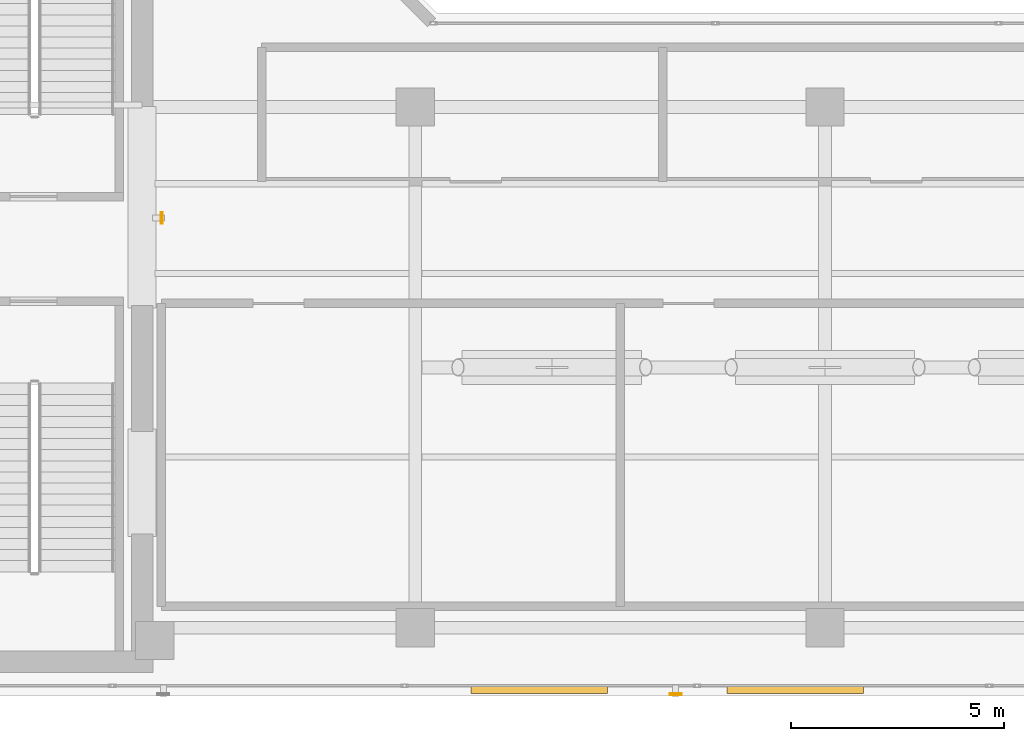
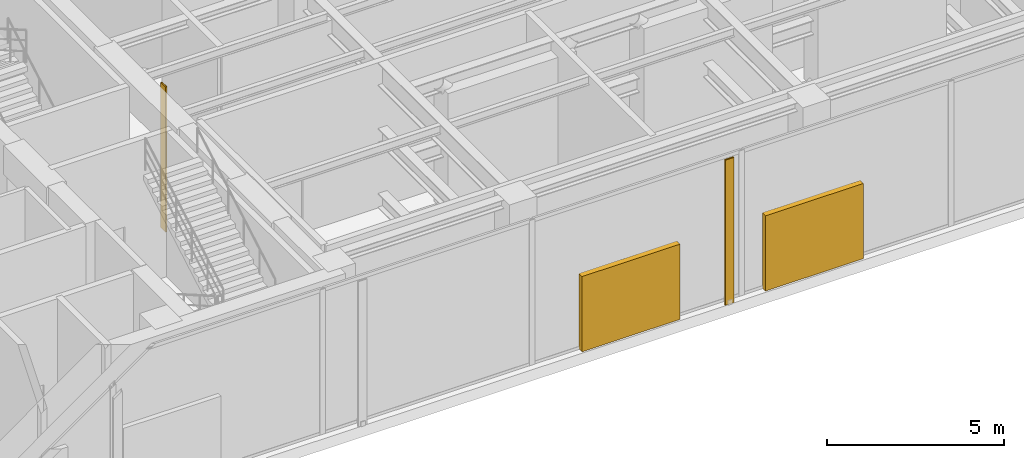
# One storey, part 28 of 29: 4 shading devices.
"""IFC4 building model written with IfcOpenShell, lengths in metres."""

from ifc_helpers import new_model, si_unit, direction, frame, origin, origin_with_axes, origin_2d, place, context, subcontext, project, spatial, rectangle, hollow_rectangle, extrude, source, transform, mapped, material, material_profile, profile_set, type_object, element, save


model = new_model("IFC4")

# Units and contexts
model_context = context("Model", 3, precision=1e-05, world=origin(), true_north=direction((0.0, 1.0)))
body_context = subcontext(model_context, "Body", "Model", "MODEL_VIEW")
ifc_project = project(units=[si_unit("LENGTHUNIT", "METRE"), si_unit("AREAUNIT", "SQUARE_METRE"), si_unit("VOLUMEUNIT", "CUBIC_METRE"), si_unit("PLANEANGLEUNIT", "RADIAN"), si_unit("MASSUNIT", "GRAM", prefix="KILO")], contexts=[model_context])

# Site, building, storey
site_placement = place(None, origin())
site = spatial("IfcSite", under=ifc_project, at=site_placement, CompositionType="ELEMENT")
building_placement = place(site_placement, origin())
building = spatial("IfcBuilding", under=site, at=building_placement, Name="Kolvaren Waterfront Exchange", CompositionType="ELEMENT")
storey_placement = place(building_placement, frame((0.0, 0.0, 338.800048828125)))
storey = spatial("IfcBuildingStorey", under=building, at=storey_placement, Name="L87", CompositionType="ELEMENT", Elevation=338.800048828125)

# Shading devices
ifc_material = material(Name="Anodised bronze aluminium 6063-T6", Category="aluminium")
ifc_material_profile = material_profile(ifc_material, hollow_rectangle(XDim=0.054931640625, YDim=0.280029296875, WallThickness=0.00439453125, at=origin_2d()), Name="BRZ-FIN-280x55x4.5")
ifc_profile_set = profile_set([ifc_material_profile], Name="Anodised bronze aluminium 6063-T6")
shading_device_type_1 = type_object("IfcShadingDeviceType", Name="ARC-FIN-280", PredefinedType="USERDEFINED", material=ifc_profile_set)
for number, where, z_axis, x_axis, name in (
    (1, (33.300048828125, 3.639892578125, 0.0), (0.0, 0.0, 1.0), (0.0, -1.0, 0.0), "L87 anodised bronze solar shading fin FIN-L87-S3"),
    (2, (21.260009765625, 14.800048828125, 0.0), (0.0, 0.0, 1.0), (1.0, 0.0, 0.0), "L87 anodised bronze solar shading fin FIN-L87-E1"),
):
    element("IfcShadingDevice", number, at=place(storey_placement, frame(where, z_axis=z_axis, x_axis=x_axis)), inside=storey, type_object=shading_device_type_1, Name=name, ObjectType="SOLAR FIN", PredefinedType="USERDEFINED", context=body_context, shape_type="SweptSolid", body=[
        extrude(hollow_rectangle(XDim=0.054931640625, YDim=0.280029296875, WallThickness=0.00439453125, at=origin_2d()), origin(), (0.0, 0.0, 1.0), 5.02001953125),
    ])
shading_device_type_2 = type_object("IfcShadingDeviceType", Name="ARC-SHD-LOUVRE", PredefinedType="USERDEFINED", material=ifc_material)
shared_shape = source(origin_with_axes(), body_context, "Body", "SweptSolid", [
    extrude(rectangle(XDim=3.199951171875, YDim=0.179931640625, at=origin_2d()), origin(), (0.0, 0.0, 1.0), 2.60009765625),
])
for number, where, z_axis, x_axis, name in (
    (3, (30.10009765625, 3.75, 0.0), (0.0, 0.0, 1.0), (1.0, 0.0, 0.0), "L87 acoustic weather intake louvre 3"),
    (4, (36.10009765625, 3.75, 0.0), (0.0, 0.0, 1.0), (1.0, 0.0, 0.0), "L87 acoustic weather intake louvre 4"),
):
    element("IfcShadingDevice", number, at=place(storey_placement, frame(where, z_axis=z_axis, x_axis=x_axis)), inside=storey, type_object=shading_device_type_2, Name=name, ObjectType="LOUVRE", PredefinedType="USERDEFINED", context=body_context, shape_type="MappedRepresentation", body=[
        mapped(shared_shape, transform((0.0, 0.0, 0.0), x_axis=(1.0, 0.0, 0.0), y_axis=(0.0, 1.0, 0.0), z_axis=(0.0, 0.0, 1.0), scale=1.0)),
    ])

save(model, "model.ifc")
